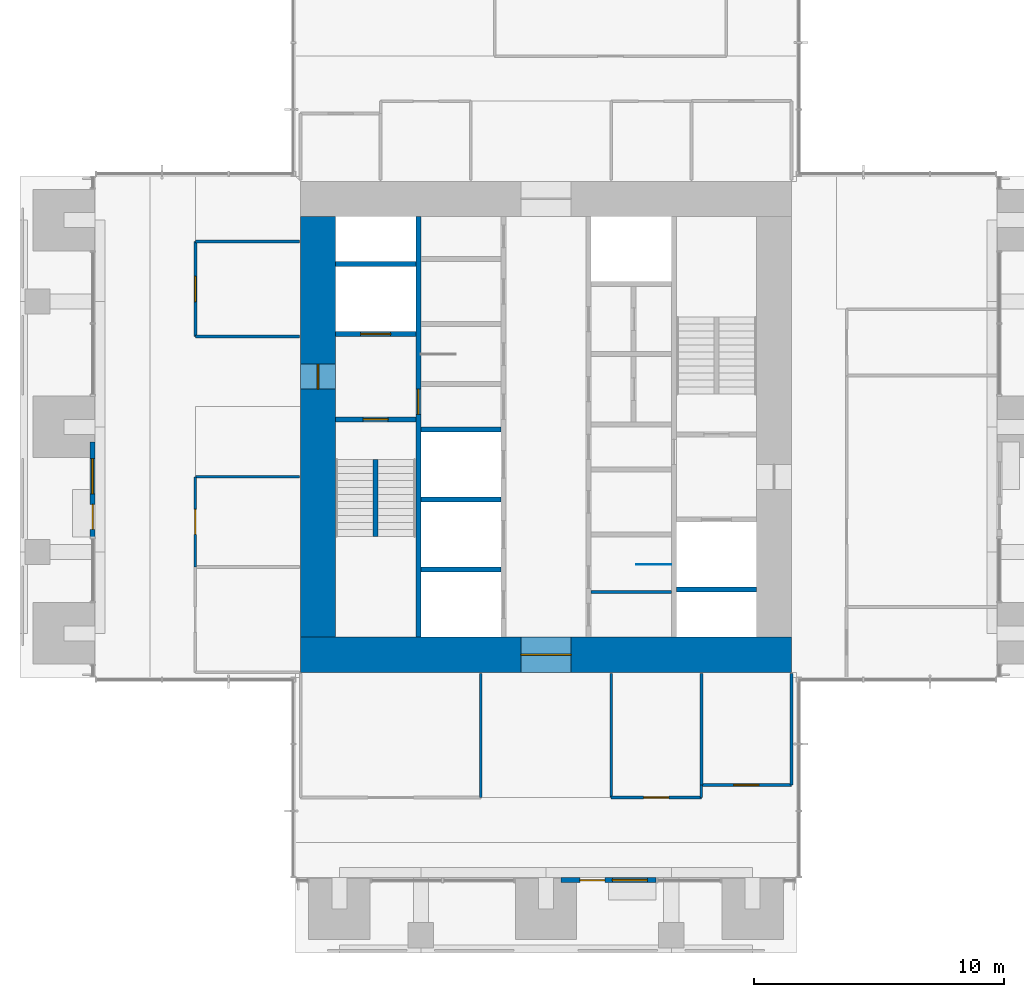
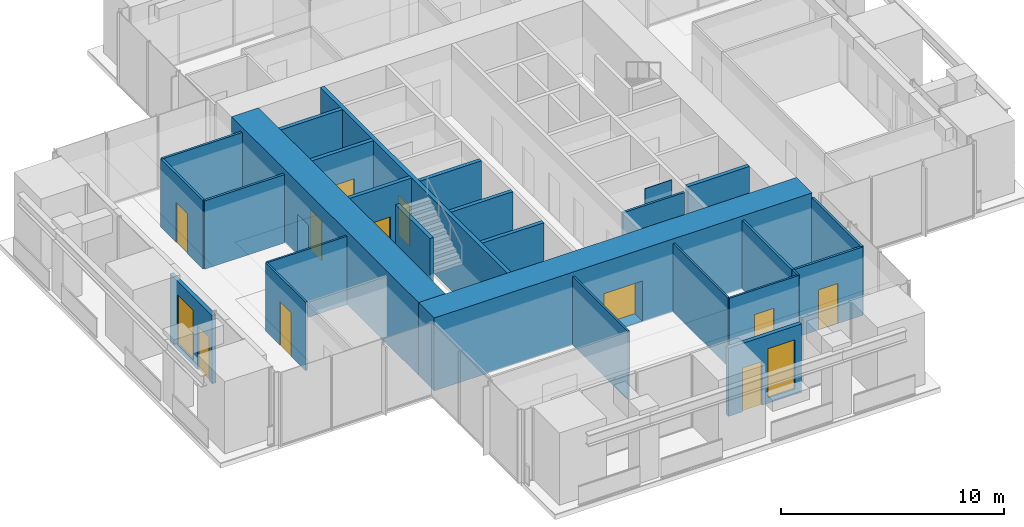
# One storey, part 12 of 17: 27 walls, 11 doors, 2 windows, 13 openings.
"""IFC4 building model written with IfcOpenShell, lengths in metres."""

from ifc_helpers import new_model, si_unit, direction, frame, frame_2d, origin, place, context, subcontext, project, spatial, rectangle, extrude, material, layer, layer_set, type_object, element, fill, save


model = new_model("IFC4")

# Units and contexts
model_context = context("Model", 3, precision=1e-05, world=origin(), true_north=direction((0.0, 1.0)))
body_context = subcontext(model_context, "Body", "Model", "MODEL_VIEW")
ifc_project = project(units=[si_unit("LENGTHUNIT", "METRE"), si_unit("AREAUNIT", "SQUARE_METRE"), si_unit("VOLUMEUNIT", "CUBIC_METRE"), si_unit("PLANEANGLEUNIT", "RADIAN"), si_unit("MASSUNIT", "GRAM", prefix="KILO")], contexts=[model_context])

# Site, building, storey
site_placement = place(None, origin())
site = spatial("IfcSite", under=ifc_project, at=site_placement, CompositionType="ELEMENT")
building_placement = place(site_placement, origin())
building = spatial("IfcBuilding", under=site, at=building_placement, Name="Svetlomir Tower", CompositionType="ELEMENT")
storey_placement = place(building_placement, frame((0.0, 0.0, 186.5)))
storey = spatial("IfcBuildingStorey", under=building, at=storey_placement, Name="L44", CompositionType="ELEMENT", Elevation=186.5)

# Wall, openings, door, window
ifc_material_1 = material(Name="Bronze anodised aluminium glazed screen", Category="aluminium")
ifc_layer_1 = layer(ifc_material_1, 0.199951171875)
ifc_layer_set_1 = layer_set([ifc_layer_1], Name="Bronze anodised aluminium glazed screen")
wall_type_1 = type_object("IfcWallType", Name="BALCONY SCREEN WALL 200", PredefinedType="USERDEFINED", material=ifc_layer_set_1)
wall_1_placement = place(storey_placement, frame((21.60009765625, 2.89990234375, 0.0), z_axis=(0.0, 0.0, 1.0), x_axis=(1.0, 0.0, 0.0)))
wall_1 = element("IfcWall", 1, at=wall_1_placement, inside=storey, type_object=wall_type_1, Name="Balcony screen S", ObjectType="GLAZED SCREEN", PredefinedType="USERDEFINED", context=body_context, shape_type="SweptSolid", body=[
    extrude(rectangle(XDim=3.7998046875, YDim=0.199951171875, at=frame_2d((1.89990234375, 0.0))), origin(), (0.0, 0.0, 1.0), 3.75),
])
opening_1_placement = place(wall_1_placement, frame((0.75, 0.0, 0.0)))
opening_1 = element("IfcOpeningElement", 2, at=opening_1_placement, cuts=wall_1, Name="Opening BD", PredefinedType="OPENING", context=body_context, shape_type="SweptSolid", body=[
    extrude(rectangle(XDim=1.0, YDim=2.39990234375, at=frame_2d((0.5, 1.199951171875))), frame((0.0, 0.10986328125, 0.0), z_axis=(0.0, -1.0, 0.0), x_axis=(1.0, 0.0, 0.0)), (0.0, 0.0, 1.0), 0.219970703125),
])
opening_2_placement = place(wall_1_placement, frame((2.050048828125, 0.0, 0.300048828125)))
opening_2 = element("IfcOpeningElement", 3, at=opening_2_placement, cuts=wall_1, Name="Opening WS2", PredefinedType="OPENING", context=body_context, shape_type="SweptSolid", body=[
    extrude(rectangle(XDim=1.39990234375, YDim=2.699951171875, at=frame_2d((0.699951171875, 1.35009765625))), frame((0.0, 0.10986328125, 0.0), z_axis=(0.0, -1.0, 0.0), x_axis=(1.0, 0.0, 0.0)), (0.0, 0.0, 1.0), 0.219970703125),
])
ifc_material_2 = material(Name="Bronze anodised aluminium glazed door", Category="aluminium")
door_type_1 = type_object("IfcDoorType", Name="BALCONY DOOR BD 1000x2400", OperationType="SINGLE_SWING_LEFT", PredefinedType="DOOR", material=ifc_material_2)
door_1_placement = place(opening_1_placement, origin())
door_1 = element("IfcDoor", 4, at=door_1_placement, inside=storey, type_object=door_type_1, Name="Balcony screen S door", OperationType="SINGLE_SWING_LEFT", OverallHeight=2.39990234375, OverallWidth=1.0, PredefinedType="DOOR", context=body_context, shape_type="SweptSolid", body=[
    extrude(rectangle(XDim=1.0, YDim=2.39990234375, at=frame_2d((0.5, 1.199951171875))), frame((0.0, 0.02490234375, 0.0), z_axis=(0.0, -1.0, 0.0), x_axis=(1.0, 0.0, 0.0)), (0.0, 0.0, 1.0), 0.050048828125),
])
fill(opening_1, door_1)
ifc_material_3 = material(Name="Bronze anodised aluminium window", Category="aluminium")
window_type = type_object("IfcWindowType", Name="SCREEN WINDOW WS2 1400x2700", PartitioningType="SINGLE_PANEL", PredefinedType="WINDOW", material=ifc_material_3)
window_1_placement = place(opening_2_placement, origin())
window_1 = element("IfcWindow", 5, at=window_1_placement, inside=storey, type_object=window_type, Name="Balcony screen S window 1", OverallHeight=2.699951171875, OverallWidth=1.39990234375, PartitioningType="SINGLE_PANEL", PredefinedType="WINDOW", context=body_context, shape_type="SweptSolid", body=[
    extrude(rectangle(XDim=1.39990234375, YDim=2.699951171875, at=frame_2d((0.699951171875, 1.35009765625))), frame((0.0, 0.030029296875, 0.0), z_axis=(0.0, -1.0, 0.0), x_axis=(1.0, 0.0, 0.0)), (0.0, 0.0, 1.0), 0.06005859375),
])
fill(opening_2, window_1)

wall_2_placement = place(storey_placement, frame((2.89990234375, 20.39990234375, 0.0), z_axis=(0.0, 0.0, 1.0), x_axis=(0.0, -1.0, 0.0)))
wall_2 = element("IfcWall", 6, at=wall_2_placement, inside=storey, type_object=wall_type_1, Name="Balcony screen W", ObjectType="GLAZED SCREEN", PredefinedType="USERDEFINED", context=body_context, shape_type="SweptSolid", body=[
    extrude(rectangle(XDim=3.7998046875, YDim=0.199951171875, at=frame_2d((1.89990234375, 0.0))), origin(), (0.0, 0.0, 1.0), 3.75),
])
opening_3_placement = place(wall_2_placement, frame((2.5, 0.0, 0.0)))
opening_3 = element("IfcOpeningElement", 7, at=opening_3_placement, cuts=wall_2, Name="Opening BD", PredefinedType="OPENING", context=body_context, shape_type="SweptSolid", body=[
    extrude(rectangle(XDim=1.0, YDim=2.39990234375, at=frame_2d((0.5, 1.199951171875))), frame((0.0, 0.10986328125, 0.0), z_axis=(0.0, -1.0, 0.0), x_axis=(1.0, 0.0, 0.0)), (0.0, 0.0, 1.0), 0.219970703125),
])
opening_4_placement = place(wall_2_placement, frame((0.675048828125, 0.0, 0.300048828125)))
opening_4 = element("IfcOpeningElement", 8, at=opening_4_placement, cuts=wall_2, Name="Opening WS2", PredefinedType="OPENING", context=body_context, shape_type="SweptSolid", body=[
    extrude(rectangle(XDim=1.39990234375, YDim=2.699951171875, at=frame_2d((0.699951171875, 1.35009765625))), frame((0.0, 0.10986328125, 0.0), z_axis=(0.0, -1.0, 0.0), x_axis=(1.0, 0.0, 0.0)), (0.0, 0.0, 1.0), 0.219970703125),
])
door_2_placement = place(opening_3_placement, origin())
door_2 = element("IfcDoor", 9, at=door_2_placement, inside=storey, type_object=door_type_1, Name="Balcony screen W door", OperationType="SINGLE_SWING_LEFT", OverallHeight=2.39990234375, OverallWidth=1.0, PredefinedType="DOOR", context=body_context, shape_type="SweptSolid", body=[
    extrude(rectangle(XDim=1.0, YDim=2.39990234375, at=frame_2d((0.5, 1.199951171875))), frame((0.0, 0.02490234375, 0.0), z_axis=(0.0, -1.0, 0.0), x_axis=(1.0, 0.0, 0.0)), (0.0, 0.0, 1.0), 0.050048828125),
])
fill(opening_3, door_2)
window_2_placement = place(opening_4_placement, origin())
window_2 = element("IfcWindow", 10, at=window_2_placement, inside=storey, type_object=window_type, Name="Balcony screen W window 1", OverallHeight=2.699951171875, OverallWidth=1.39990234375, PartitioningType="SINGLE_PANEL", PredefinedType="WINDOW", context=body_context, shape_type="SweptSolid", body=[
    extrude(rectangle(XDim=1.39990234375, YDim=2.699951171875, at=frame_2d((0.699951171875, 1.35009765625))), frame((0.0, 0.030029296875, 0.0), z_axis=(0.0, -1.0, 0.0), x_axis=(1.0, 0.0, 0.0)), (0.0, 0.0, 1.0), 0.06005859375),
])
fill(opening_4, window_2)

# Wall, opening, door
ifc_material_4 = material(Name="Concrete C60/75", Category="concrete")
ifc_layer_2 = layer(ifc_material_4, 0.199951171875)
ifc_layer_set_2 = layer_set([ifc_layer_2], Name="Concrete C60/75")
wall_type_2 = type_object("IfcWallType", Name="CORE INNER WALL 200", PredefinedType="SHEAR", material=ifc_layer_set_2)
wall_3_placement = place(storey_placement, frame((15.89990234375, 12.60009765625, -0.050048828125), z_axis=(0.0, 0.0, 1.0), x_axis=(0.0, 1.0, 0.0)))
wall_3 = element("IfcWall", 11, at=wall_3_placement, inside=storey, type_object=wall_type_2, Name="Core inner wall 15.9 L44", PredefinedType="SHEAR", context=body_context, shape_type="SweptSolid", body=[
    extrude(rectangle(XDim=16.7998046875, YDim=0.199951171875, at=frame_2d((8.39990234375, 0.0))), origin(), (0.0, 0.0, 1.0), 4.0),
])
opening_5_placement = place(wall_3_placement, frame((8.89990234375, 0.0, 0.050048828125)))
opening_5 = element("IfcOpeningElement", 12, at=opening_5_placement, cuts=wall_3, Name="Opening DF", PredefinedType="OPENING", context=body_context, shape_type="SweptSolid", body=[
    extrude(rectangle(XDim=1.0, YDim=2.199951171875, at=frame_2d((0.5, 1.10009765625))), frame((0.0, 0.10986328125, 0.0), z_axis=(0.0, -1.0, 0.0), x_axis=(1.0, 0.0, 0.0)), (0.0, 0.0, 1.0), 0.219970703125),
])
ifc_material_5 = material(Name="Steel fire door", Category="steel")
door_type_2 = type_object("IfcDoorType", Name="DOOR DF 1000x2200", OperationType="SINGLE_SWING_LEFT", PredefinedType="DOOR", material=ifc_material_5)
door_3_placement = place(opening_5_placement, origin())
door_3 = element("IfcDoor", 13, at=door_3_placement, inside=storey, type_object=door_type_2, Name="Core corridor west door L44", OperationType="SINGLE_SWING_LEFT", OverallHeight=2.199951171875, OverallWidth=1.0, PredefinedType="DOOR", context=body_context, shape_type="SweptSolid", body=[
    extrude(rectangle(XDim=1.0, YDim=2.199951171875, at=frame_2d((0.5, 1.10009765625))), frame((0.0, 0.02490234375, 0.0), z_axis=(0.0, -1.0, 0.0), x_axis=(1.0, 0.0, 0.0)), (0.0, 0.0, 1.0), 0.050048828125),
])
fill(opening_5, door_3)

wall_4_placement = place(storey_placement, frame((12.60009765625, 21.300048828125, -0.050048828125), z_axis=(0.0, 0.0, 1.0), x_axis=(1.0, 0.0, 0.0)))
wall_4 = element("IfcWall", 14, at=wall_4_placement, inside=storey, type_object=wall_type_2, Name="Core inner wall 12.6-15.8/21.3 L44", PredefinedType="SHEAR", context=body_context, shape_type="SweptSolid", body=[
    extrude(rectangle(XDim=3.199951171875, YDim=0.199951171875, at=frame_2d((1.60009765625, 0.0))), origin(), (0.0, 0.0, 1.0), 4.0),
])
opening_6_placement = place(wall_4_placement, frame((1.10009765625, 0.0, 0.050048828125)))
opening_6 = element("IfcOpeningElement", 15, at=opening_6_placement, cuts=wall_4, Name="Opening DF", PredefinedType="OPENING", context=body_context, shape_type="SweptSolid", body=[
    extrude(rectangle(XDim=1.0, YDim=2.199951171875, at=frame_2d((0.5, 1.10009765625))), frame((0.0, 0.10986328125, 0.0), z_axis=(0.0, -1.0, 0.0), x_axis=(1.0, 0.0, 0.0)), (0.0, 0.0, 1.0), 0.219970703125),
])
door_4_placement = place(opening_6_placement, origin())
door_4 = element("IfcDoor", 16, at=door_4_placement, inside=storey, type_object=door_type_2, Name="Stair S1 door L44", OperationType="SINGLE_SWING_RIGHT", OverallHeight=2.199951171875, OverallWidth=1.0, PredefinedType="DOOR", context=body_context, shape_type="SweptSolid", body=[
    extrude(rectangle(XDim=1.0, YDim=2.199951171875, at=frame_2d((0.5, 1.10009765625))), frame((0.0, 0.02490234375, 0.0), z_axis=(0.0, -1.0, 0.0), x_axis=(1.0, 0.0, 0.0)), (0.0, 0.0, 1.0), 0.050048828125),
])
fill(opening_6, door_4)

wall_5_placement = place(storey_placement, frame((12.60009765625, 24.699951171875, -0.050048828125), z_axis=(0.0, 0.0, 1.0), x_axis=(1.0, 0.0, 0.0)))
wall_5 = element("IfcWall", 17, at=wall_5_placement, inside=storey, type_object=wall_type_2, Name="Core inner wall 12.6-15.8/24.7 L44", PredefinedType="SHEAR", context=body_context, shape_type="SweptSolid", body=[
    extrude(rectangle(XDim=3.199951171875, YDim=0.199951171875, at=frame_2d((1.60009765625, 0.0))), origin(), (0.0, 0.0, 1.0), 4.0),
])
opening_7_placement = place(wall_5_placement, frame((1.0, 0.0, 0.050048828125)))
opening_7 = element("IfcOpeningElement", 18, at=opening_7_placement, cuts=wall_5, Name="Opening LD3", PredefinedType="OPENING", context=body_context, shape_type="SweptSolid", body=[
    extrude(rectangle(XDim=1.199951171875, YDim=2.199951171875, at=frame_2d((0.60009765625, 1.10009765625))), frame((0.0, 0.10986328125, 0.0), z_axis=(0.0, -1.0, 0.0), x_axis=(1.0, 0.0, 0.0)), (0.0, 0.0, 1.0), 0.219970703125),
])
ifc_material_6 = material(Name="Stainless steel fire-rated landing door", Category="steel")
door_type_3 = type_object("IfcDoorType", Name="FIREFIGHTING LIFT LANDING DOOR LD3 1200x2200", OperationType="DOUBLE_DOOR_SLIDING", PredefinedType="DOOR", material=ifc_material_6)
door_5_placement = place(opening_7_placement, origin())
door_5 = element("IfcDoor", 19, at=door_5_placement, inside=storey, type_object=door_type_3, Name="Landing door lift FL1 L44", OperationType="DOUBLE_DOOR_SLIDING", OverallHeight=2.199951171875, OverallWidth=1.199951171875, PredefinedType="DOOR", context=body_context, shape_type="SweptSolid", body=[
    extrude(rectangle(XDim=1.199951171875, YDim=2.199951171875, at=frame_2d((0.60009765625, 1.10009765625))), frame((0.0, 0.02490234375, 0.0), z_axis=(0.0, -1.0, 0.0), x_axis=(1.0, 0.0, 0.0)), (0.0, 0.0, 1.0), 0.050048828125),
])
fill(opening_7, door_5)

# Walls
for number, where, z_axis, x_axis, name in (
    (20, (12.60009765625, 27.5, -0.050048828125), (0.0, 0.0, 1.0), (1.0, 0.0, 0.0), "Core inner wall 12.6-15.8/27.5 L44"),
    (21, (16.0, 15.300048828125, -0.050048828125), (0.0, 0.0, 1.0), (1.0, 0.0, 0.0), "Core inner wall 16-19.2/15.3 L44"),
    (22, (16.0, 18.10009765625, -0.050048828125), (0.0, 0.0, 1.0), (1.0, 0.0, 0.0), "Core inner wall 16-19.2/18.1 L44"),
    (23, (16.0, 20.89990234375, -0.050048828125), (0.0, 0.0, 1.0), (1.0, 0.0, 0.0), "Core inner wall 16-19.2/20.9 L44"),
    (24, (26.199951171875, 14.5, -0.050048828125), (0.0, 0.0, 1.0), (1.0, 0.0, 0.0), "Core inner wall 26.2-29.4/14.5 L44"),
):
    element("IfcWall", number, at=place(storey_placement, frame(where, z_axis=z_axis, x_axis=x_axis)), inside=storey, type_object=wall_type_2, Name=name, PredefinedType="SHEAR", context=body_context, shape_type="SweptSolid", body=[
        extrude(rectangle(XDim=3.199951171875, YDim=0.199951171875, at=frame_2d((1.60009765625, 0.0))), origin(), (0.0, 0.0, 1.0), 4.0),
    ])

# Wall, opening, door
ifc_material_7 = material(Name="Concrete C60/75", Category="concrete")
ifc_layer_3 = layer(ifc_material_7, 1.39990234375)
ifc_layer_set_3 = layer_set([ifc_layer_3], Name="Concrete C60/75")
wall_type_3 = type_object("IfcWallType", Name="CORE WALL 1400", PredefinedType="SHEAR", material=ifc_layer_set_3)
wall_6_placement = place(storey_placement, frame((11.199951171875, 11.89990234375, -0.050048828125), z_axis=(0.0, 0.0, 1.0), x_axis=(1.0, 0.0, 0.0)))
wall_6 = element("IfcWall", 25, at=wall_6_placement, inside=storey, type_object=wall_type_3, Name="Core wall south L44", PredefinedType="SHEAR", context=body_context, shape_type="SweptSolid", body=[
    extrude(rectangle(XDim=19.60009765625, YDim=1.39990234375, at=frame_2d((9.800048828125, 0.0))), origin(), (0.0, 0.0, 1.0), 4.0),
])
opening_8_placement = place(wall_6_placement, frame((8.800048828125, 0.0, 0.050048828125)))
opening_8 = element("IfcOpeningElement", 26, at=opening_8_placement, cuts=wall_6, Name="Opening DL", PredefinedType="OPENING", context=body_context, shape_type="SweptSolid", body=[
    extrude(rectangle(XDim=2.0, YDim=2.199951171875, at=frame_2d((1.0, 1.10009765625))), frame((0.0, 0.7099609375, 0.0), z_axis=(0.0, -1.0, 0.0), x_axis=(1.0, 0.0, 0.0)), (0.0, 0.0, 1.0), 1.419921875),
])
ifc_material_8 = material(Name="Steel fire door", Category="steel")
door_type_4 = type_object("IfcDoorType", Name="DOOR DL 2000x2200", OperationType="DOUBLE_DOOR_SINGLE_SWING", PredefinedType="DOOR", material=ifc_material_8)
door_6_placement = place(opening_8_placement, origin())
door_6 = element("IfcDoor", 27, at=door_6_placement, inside=storey, type_object=door_type_4, Name="Lift lobby south door L44", OperationType="DOUBLE_DOOR_SINGLE_SWING", OverallHeight=2.199951171875, OverallWidth=2.0, PredefinedType="DOOR", context=body_context, shape_type="SweptSolid", body=[
    extrude(rectangle(XDim=2.0, YDim=2.199951171875, at=frame_2d((1.0, 1.10009765625))), frame((0.0, 0.02490234375, 0.0), z_axis=(0.0, -1.0, 0.0), x_axis=(1.0, 0.0, 0.0)), (0.0, 0.0, 1.0), 0.050048828125),
])
fill(opening_8, door_6)

wall_7_placement = place(storey_placement, frame((11.89990234375, 12.60009765625, -0.050048828125), z_axis=(0.0, 0.0, 1.0), x_axis=(0.0, 1.0, 0.0)))
wall_7 = element("IfcWall", 28, at=wall_7_placement, inside=storey, type_object=wall_type_3, Name="Core wall west L44", PredefinedType="SHEAR", context=body_context, shape_type="SweptSolid", body=[
    extrude(rectangle(XDim=16.7998046875, YDim=1.39990234375, at=frame_2d((8.39990234375, 0.0))), origin(), (0.0, 0.0, 1.0), 4.0),
])
opening_9_placement = place(wall_7_placement, frame((9.89990234375, 0.0, 0.050048828125)))
opening_9 = element("IfcOpeningElement", 29, at=opening_9_placement, cuts=wall_7, Name="Opening DF", PredefinedType="OPENING", context=body_context, shape_type="SweptSolid", body=[
    extrude(rectangle(XDim=1.0, YDim=2.199951171875, at=frame_2d((0.5, 1.10009765625))), frame((0.0, 0.7099609375, 0.0), z_axis=(0.0, -1.0, 0.0), x_axis=(1.0, 0.0, 0.0)), (0.0, 0.0, 1.0), 1.419921875),
])
door_7_placement = place(opening_9_placement, origin())
door_7 = element("IfcDoor", 30, at=door_7_placement, inside=storey, type_object=door_type_2, Name="Firefighting lobby west door L44", OperationType="SINGLE_SWING_RIGHT", OverallHeight=2.199951171875, OverallWidth=1.0, PredefinedType="DOOR", context=body_context, shape_type="SweptSolid", body=[
    extrude(rectangle(XDim=1.0, YDim=2.199951171875, at=frame_2d((0.5, 1.10009765625))), frame((0.0, 0.02490234375, 0.0), z_axis=(0.0, -1.0, 0.0), x_axis=(1.0, 0.0, 0.0)), (0.0, 0.0, 1.0), 0.050048828125),
])
fill(opening_9, door_7)

ifc_material_9 = material(Name="Framed laminated glass partition", Category="glass")
ifc_layer_4 = layer(ifc_material_9, 0.10009765625)
ifc_layer_set_4 = layer_set([ifc_layer_4], Name="Framed laminated glass partition")
wall_type_4 = type_object("IfcWallType", Name="GLAZED PARTITION 100", PredefinedType="PARTITIONING", material=ifc_layer_set_4)
wall_8_placement = place(storey_placement, frame((7.0, 15.39990234375, 0.0), z_axis=(0.0, 0.0, 1.0), x_axis=(0.0, 1.0, 0.0)))
wall_8 = element("IfcWall", 31, at=wall_8_placement, inside=storey, type_object=wall_type_4, Name="Glazed partition L44", PredefinedType="PARTITIONING", context=body_context, shape_type="SweptSolid", body=[
    extrude(rectangle(XDim=3.60009765625, YDim=0.10009765625, at=frame_2d((1.800048828125, 0.0))), origin(), (0.0, 0.0, 1.0), 3.75),
])
opening_10_placement = place(wall_8_placement, frame((1.300048828125, 0.0, 0.0)))
opening_10 = element("IfcOpeningElement", 32, at=opening_10_placement, cuts=wall_8, Name="Opening DG", PredefinedType="OPENING", context=body_context, shape_type="SweptSolid", body=[
    extrude(rectangle(XDim=1.0, YDim=2.39990234375, at=frame_2d((0.5, 1.199951171875))), frame((0.0, 0.06005859375, 0.0), z_axis=(0.0, -1.0, 0.0), x_axis=(1.0, 0.0, 0.0)), (0.0, 0.0, 1.0), 0.1201171875),
])
ifc_material_10 = material(Name="Framed laminated glass door", Category="glass")
door_type_5 = type_object("IfcDoorType", Name="GLAZED DOOR DG 1000x2400", OperationType="SINGLE_SWING_LEFT", PredefinedType="DOOR", material=ifc_material_10)
door_8_placement = place(opening_10_placement, origin())
door_8 = element("IfcDoor", 33, at=door_8_placement, inside=storey, type_object=door_type_5, Name="Focus room 2 door L44", OperationType="SINGLE_SWING_LEFT", OverallHeight=2.39990234375, OverallWidth=1.0, PredefinedType="DOOR", context=body_context, shape_type="SweptSolid", body=[
    extrude(rectangle(XDim=1.0, YDim=2.39990234375, at=frame_2d((0.5, 1.199951171875))), frame((0.0, 0.02490234375, 0.0), z_axis=(0.0, -1.0, 0.0), x_axis=(1.0, 0.0, 0.0)), (0.0, 0.0, 1.0), 0.050048828125),
])
fill(opening_10, door_8)

# Walls
wall_9_placement = place(storey_placement, frame((7.0, 19.0, 0.0), z_axis=(0.0, 0.0, 1.0), x_axis=(1.0, 0.0, 0.0)))
element("IfcWall", 34, at=wall_9_placement, inside=storey, type_object=wall_type_4, Name="Glazed partition L44", PredefinedType="PARTITIONING", context=body_context, shape_type="SweptSolid", body=[
    extrude(rectangle(XDim=4.14990234375, YDim=0.10009765625, at=frame_2d((2.074951171875, 0.0))), origin(), (0.0, 0.0, 1.0), 3.75),
])
for number, where, z_axis, x_axis, name in (
    (35, (18.39990234375, 6.199951171875, 0.0), (0.0, 0.0, 1.0), (0.0, 1.0, 0.0), "Glazed partition L44"),
    (36, (23.60009765625, 6.199951171875, 0.0), (0.0, 0.0, 1.0), (0.0, 1.0, 0.0), "Glazed partition L44"),
):
    element("IfcWall", number, at=place(storey_placement, frame(where, z_axis=z_axis, x_axis=x_axis)), inside=storey, type_object=wall_type_4, Name=name, PredefinedType="PARTITIONING", context=body_context, shape_type="SweptSolid", body=[
        extrude(rectangle(XDim=4.949951171875, YDim=0.10009765625, at=frame_2d((2.47509765625, 0.0))), origin(), (0.0, 0.0, 1.0), 3.75),
    ])

# Wall, opening, door
wall_10_placement = place(storey_placement, frame((23.60009765625, 6.199951171875, 0.0), z_axis=(0.0, 0.0, 1.0), x_axis=(1.0, 0.0, 0.0)))
wall_10 = element("IfcWall", 37, at=wall_10_placement, inside=storey, type_object=wall_type_4, Name="Glazed partition L44", PredefinedType="PARTITIONING", context=body_context, shape_type="SweptSolid", body=[
    extrude(rectangle(XDim=3.599853515625, YDim=0.10009765625, at=frame_2d((1.7998046875, 0.0))), origin(), (0.0, 0.0, 1.0), 3.75),
])
opening_11_placement = place(wall_10_placement, frame((1.300048828125, 0.0, 0.0)))
opening_11 = element("IfcOpeningElement", 38, at=opening_11_placement, cuts=wall_10, Name="Opening DG", PredefinedType="OPENING", context=body_context, shape_type="SweptSolid", body=[
    extrude(rectangle(XDim=1.0, YDim=2.39990234375, at=frame_2d((0.5, 1.199951171875))), frame((0.0, 0.06005859375, 0.0), z_axis=(0.0, -1.0, 0.0), x_axis=(1.0, 0.0, 0.0)), (0.0, 0.0, 1.0), 0.1201171875),
])
door_9_placement = place(opening_11_placement, origin())
door_9 = element("IfcDoor", 39, at=door_9_placement, inside=storey, type_object=door_type_5, Name="Focus room 1 door L44", OperationType="SINGLE_SWING_RIGHT", OverallHeight=2.39990234375, OverallWidth=1.0, PredefinedType="DOOR", context=body_context, shape_type="SweptSolid", body=[
    extrude(rectangle(XDim=1.0, YDim=2.39990234375, at=frame_2d((0.5, 1.199951171875))), frame((0.0, 0.02490234375, 0.0), z_axis=(0.0, -1.0, 0.0), x_axis=(1.0, 0.0, 0.0)), (0.0, 0.0, 1.0), 0.050048828125),
])
fill(opening_11, door_9)

# Walls
wall_11_placement = place(storey_placement, frame((27.199951171875, 6.199951171875, 0.0), z_axis=(0.0, 0.0, 1.0), x_axis=(0.0, 1.0, 0.0)))
element("IfcWall", 40, at=wall_11_placement, inside=storey, type_object=wall_type_4, Name="Glazed partition L44", PredefinedType="PARTITIONING", context=body_context, shape_type="SweptSolid", body=[
    extrude(rectangle(XDim=0.5, YDim=0.10009765625, at=frame_2d((0.25, 0.0))), origin(), (0.0, 0.0, 1.0), 3.75),
])
ifc_material_11 = material(Name="Gypsum board on steel studs", Category="steel")
ifc_layer_5 = layer(ifc_material_11, 0.1201171875)
ifc_layer_set_5 = layer_set([ifc_layer_5], Name="Gypsum board on steel studs")
wall_type_5 = type_object("IfcWallType", Name="PARTITION 120", PredefinedType="PARTITIONING", material=ifc_layer_set_5)
wall_12_placement = place(storey_placement, frame((22.800048828125, 14.39990234375, 0.0), z_axis=(0.0, 0.0, 1.0), x_axis=(1.0, 0.0, 0.0)))
element("IfcWall", 41, at=wall_12_placement, inside=storey, type_object=wall_type_5, Name="Floor store partition L44", PredefinedType="PARTITIONING", context=body_context, shape_type="SweptSolid", body=[
    extrude(rectangle(XDim=3.199951171875, YDim=0.1201171875, at=frame_2d((1.60009765625, 0.0))), origin(), (0.0, 0.0, 1.0), 3.75),
])

# Wall, opening, door
wall_13_placement = place(storey_placement, frame((7.0, 24.60009765625, 0.0), z_axis=(0.0, 0.0, 1.0), x_axis=(0.0, 1.0, 0.0)))
wall_13 = element("IfcWall", 42, at=wall_13_placement, inside=storey, type_object=wall_type_5, Name="Partition L44", PredefinedType="PARTITIONING", context=body_context, shape_type="SweptSolid", body=[
    extrude(rectangle(XDim=3.7998046875, YDim=0.1201171875, at=frame_2d((1.89990234375, 0.0))), origin(), (0.0, 0.0, 1.0), 3.75),
])
opening_12_placement = place(wall_13_placement, frame((1.39990234375, 0.0, 0.0)))
opening_12 = element("IfcOpeningElement", 43, at=opening_12_placement, cuts=wall_13, Name="Opening DR", PredefinedType="OPENING", context=body_context, shape_type="SweptSolid", body=[
    extrude(rectangle(XDim=1.0, YDim=2.199951171875, at=frame_2d((0.5, 1.10009765625))), frame((0.0, 0.070068359375, 0.0), z_axis=(0.0, -1.0, 0.0), x_axis=(1.0, 0.0, 0.0)), (0.0, 0.0, 1.0), 0.14013671875),
])
ifc_material_12 = material(Name="Timber door, glazed side light", Category="wood")
door_type_6 = type_object("IfcDoorType", Name="DOOR DR 1000x2200", OperationType="SINGLE_SWING_LEFT", PredefinedType="DOOR", material=ifc_material_12)
door_10_placement = place(opening_12_placement, origin())
door_10 = element("IfcDoor", 44, at=door_10_placement, inside=storey, type_object=door_type_6, Name="Data analysts office door L44", OperationType="SINGLE_SWING_RIGHT", OverallHeight=2.199951171875, OverallWidth=1.0, PredefinedType="DOOR", context=body_context, shape_type="SweptSolid", body=[
    extrude(rectangle(XDim=1.0, YDim=2.199951171875, at=frame_2d((0.5, 1.10009765625))), frame((0.0, 0.02490234375, 0.0), z_axis=(0.0, -1.0, 0.0), x_axis=(1.0, 0.0, 0.0)), (0.0, 0.0, 1.0), 0.050048828125),
])
fill(opening_12, door_10)

# Walls
for number, where, z_axis, x_axis, name in (
    (45, (7.0, 24.60009765625, 0.0), (0.0, 0.0, 1.0), (1.0, 0.0, 0.0), "Partition L44"),
    (46, (7.0, 28.39990234375, 0.0), (0.0, 0.0, 1.0), (1.0, 0.0, 0.0), "Partition L44"),
):
    element("IfcWall", number, at=place(storey_placement, frame(where, z_axis=z_axis, x_axis=x_axis)), inside=storey, type_object=wall_type_5, Name=name, PredefinedType="PARTITIONING", context=body_context, shape_type="SweptSolid", body=[
        extrude(rectangle(XDim=4.14990234375, YDim=0.1201171875, at=frame_2d((2.074951171875, 0.0))), origin(), (0.0, 0.0, 1.0), 3.75),
    ])
wall_14_placement = place(storey_placement, frame((27.199951171875, 6.699951171875, 0.0), z_axis=(0.0, 0.0, 1.0), x_axis=(0.0, 1.0, 0.0)))
element("IfcWall", 47, at=wall_14_placement, inside=storey, type_object=wall_type_5, Name="Partition L44", PredefinedType="PARTITIONING", context=body_context, shape_type="SweptSolid", body=[
    extrude(rectangle(XDim=4.449951171875, YDim=0.1201171875, at=frame_2d((2.22509765625, 0.0))), origin(), (0.0, 0.0, 1.0), 3.75),
])

# Wall, opening, door
wall_15_placement = place(storey_placement, frame((27.199951171875, 6.699951171875, 0.0), z_axis=(0.0, 0.0, 1.0), x_axis=(1.0, 0.0, 0.0)))
wall_15 = element("IfcWall", 48, at=wall_15_placement, inside=storey, type_object=wall_type_5, Name="Partition L44", PredefinedType="PARTITIONING", context=body_context, shape_type="SweptSolid", body=[
    extrude(rectangle(XDim=3.60009765625, YDim=0.1201171875, at=frame_2d((1.800048828125, 0.0))), origin(), (0.0, 0.0, 1.0), 3.75),
])
opening_13_placement = place(wall_15_placement, frame((1.300048828125, 0.0, 0.0)))
opening_13 = element("IfcOpeningElement", 49, at=opening_13_placement, cuts=wall_15, Name="Opening DR", PredefinedType="OPENING", context=body_context, shape_type="SweptSolid", body=[
    extrude(rectangle(XDim=1.0, YDim=2.199951171875, at=frame_2d((0.5, 1.10009765625))), frame((0.0, 0.070068359375, 0.0), z_axis=(0.0, -1.0, 0.0), x_axis=(1.0, 0.0, 0.0)), (0.0, 0.0, 1.0), 0.14013671875),
])
door_11_placement = place(opening_13_placement, origin())
door_11 = element("IfcDoor", 50, at=door_11_placement, inside=storey, type_object=door_type_6, Name="Print and copy room door L44", OperationType="SINGLE_SWING_LEFT", OverallHeight=2.199951171875, OverallWidth=1.0, PredefinedType="DOOR", context=body_context, shape_type="SweptSolid", body=[
    extrude(rectangle(XDim=1.0, YDim=2.199951171875, at=frame_2d((0.5, 1.10009765625))), frame((0.0, 0.02490234375, 0.0), z_axis=(0.0, -1.0, 0.0), x_axis=(1.0, 0.0, 0.0)), (0.0, 0.0, 1.0), 0.050048828125),
])
fill(opening_13, door_11)

# Walls
wall_16_placement = place(storey_placement, frame((30.800048828125, 6.699951171875, 0.0), z_axis=(0.0, 0.0, 1.0), x_axis=(0.0, 1.0, 0.0)))
element("IfcWall", 51, at=wall_16_placement, inside=storey, type_object=wall_type_5, Name="Partition L44", PredefinedType="PARTITIONING", context=body_context, shape_type="SweptSolid", body=[
    extrude(rectangle(XDim=4.449951171875, YDim=0.1201171875, at=frame_2d((2.22509765625, 0.0))), origin(), (0.0, 0.0, 1.0), 3.75),
])
ifc_material_13 = material(Name="Concrete C60/75", Category="concrete")
ifc_layer_6 = layer(ifc_material_13, 0.199951171875)
ifc_layer_set_6 = layer_set([ifc_layer_6], Name="Concrete C60/75")
wall_type_6 = type_object("IfcWallType", Name="STAIR SPINE WALL 200", PredefinedType="PARTITIONING", material=ifc_layer_set_6)
wall_17_placement = place(storey_placement, frame((14.199951171875, 16.6201171875, 0.0), z_axis=(0.0, 0.0, 1.0), x_axis=(0.0, 1.0, 0.0)))
element("IfcWall", 52, at=wall_17_placement, inside=storey, type_object=wall_type_6, Name="Stair S1 spine wall L44", PredefinedType="PARTITIONING", context=body_context, shape_type="SweptSolid", body=[
    extrude(rectangle(XDim=3.079833984375, YDim=0.199951171875, at=frame_2d((1.5400390625, 0.0))), origin(), (0.0, 0.0, 1.0), 4.0),
])
ifc_material_14 = material(Name="Compact laminate panel", Category="plastic")
ifc_layer_7 = layer(ifc_material_14, 0.030029296875)
ifc_layer_set_7 = layer_set([ifc_layer_7], Name="Compact laminate panel")
wall_type_7 = type_object("IfcWallType", Name="WC CUBICLE PARTITION 30", PredefinedType="PARTITIONING", material=ifc_layer_set_7)
wall_18_placement = place(storey_placement, frame((24.60009765625, 15.5, 0.0), z_axis=(0.0, 0.0, 1.0), x_axis=(1.0, 0.0, 0.0)))
element("IfcWall", 53, at=wall_18_placement, inside=storey, type_object=wall_type_7, Name="WC cubicle partition L44", PredefinedType="PARTITIONING", context=body_context, shape_type="SweptSolid", body=[
    extrude(rectangle(XDim=1.39990234375, YDim=0.030029296875, at=frame_2d((0.699951171875, 0.0))), origin(), (0.0, 0.0, 1.0), 3.75),
])

save(model, "model.ifc")
